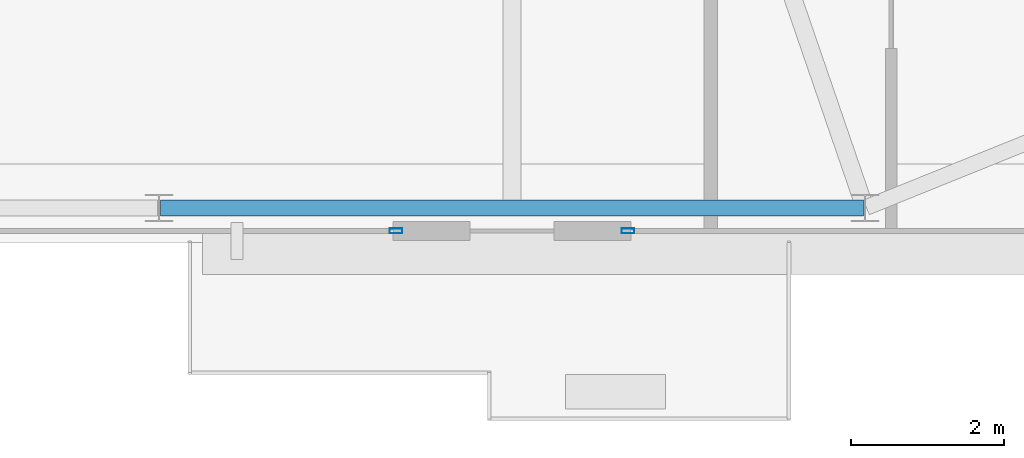
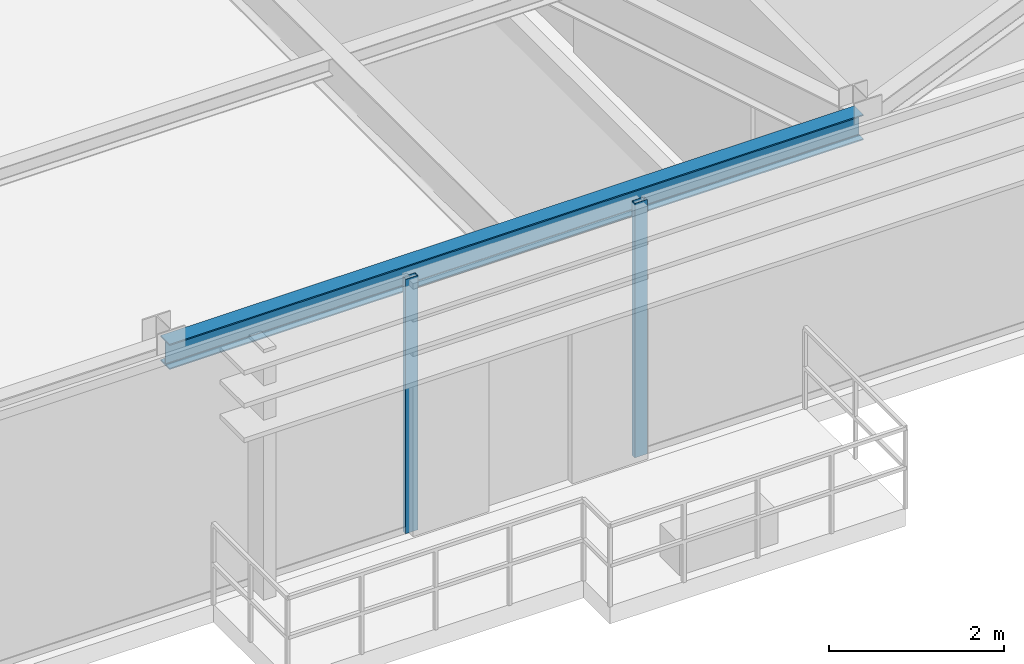
# One storey, part 12 of 30: 2 members, 1 beam, 2 elements without a shape of their own.
"""IFC4 building model written with IfcOpenShell, lengths in metres."""

from ifc_helpers import new_model, si_unit, direction, frame, origin, origin_2d, place, context, subcontext, project, spatial, hollow_rectangle, i_section, extrude, source, transform, mapped, material, layer, layer_set, material_profile, profile_set, type_object, type_shapes, element, aggregate, save


model = new_model("IFC4")

# Units and contexts
model_context = context("Model", 3, precision=1e-05, world=origin(), true_north=direction((0.0, 1.0)))
body_context = subcontext(model_context, "Body", "Model", "MODEL_VIEW")
ifc_project = project(units=[si_unit("LENGTHUNIT", "METRE"), si_unit("AREAUNIT", "SQUARE_METRE"), si_unit("VOLUMEUNIT", "CUBIC_METRE"), si_unit("PLANEANGLEUNIT", "RADIAN"), si_unit("MASSUNIT", "GRAM", prefix="KILO")], contexts=[model_context])

# Site, building, storey
site_placement = place(None, origin())
site = spatial("IfcSite", under=ifc_project, at=site_placement, CompositionType="ELEMENT")
building_placement = place(site_placement, origin())
building = spatial("IfcBuilding", under=site, at=building_placement, Name="Varnel Quay Broadcast Tower", CompositionType="ELEMENT")
storey_placement = place(building_placement, frame((0.0, 0.0, 207.39990234375)))
storey = spatial("IfcBuildingStorey", under=building, at=storey_placement, Name="L51", CompositionType="ELEMENT", Elevation=207.39990234375)

# Beam
ifc_material_1 = material(Name="Structural Steel CSA G40.21 350W", Category="steel")
ifc_material_profile_1 = material_profile(ifc_material_1, i_section(OverallWidth=0.205078125, OverallDepth=0.35400390625, WebThickness=0.009521484375, FlangeThickness=0.016845703125, FilletRadius=0.012939453125, at=origin_2d()), Name="W360X79")
ifc_profile_set_1 = profile_set([ifc_material_profile_1], Name="Structural Steel CSA G40.21 350W")
beam_type = type_object("IfcBeamType", Name="Beam_W360X79", PredefinedType="SPANDREL", material=ifc_profile_set_1)
shared_shape_1 = source(origin(), body_context, "Body", "SweptSolid", [
    extrude(i_section(OverallWidth=0.205078125, OverallDepth=0.35400390625, WebThickness=0.009521484375, FlangeThickness=0.016845703125, FilletRadius=0.012939453125, at=origin_2d()), origin(), (0.0, 0.0, 1.0), 9.159912109375),
])
type_shapes(beam_type, [shared_shape_1])
beam_placement = place(storey_placement, frame((38.6201171875, 10.64990234375, 3.373046875), z_axis=(1.0, 0.0, 0.0), x_axis=(0.0, 1.0, 0.0)))
element("IfcBeam", 1, at=beam_placement, inside=storey, type_object=beam_type, Name="L51 South Spandrel TC-S3-TC-S4", PredefinedType="SPANDREL", context=body_context, shape_type="MappedRepresentation", body=[
    mapped(shared_shape_1, transform((0.0, 0.0, 0.0), x_axis=(1.0, 0.0, 0.0), y_axis=(0.0, 1.0, 0.0), z_axis=(0.0, 0.0, 1.0), scale=1.0)),
])

# Curtain wall, member
ifc_material_2 = material(Name="Anodised Bronze Aluminium 6063-T6", Category="aluminium")
ifc_layer = layer(ifc_material_2, 0.18994140625, Name="Anodised Bronze Aluminium 6063-T6")
ifc_layer_set = layer_set([ifc_layer], Name="Anodised Bronze Aluminium 6063-T6")
curtain_wall_type = type_object("IfcCurtainWallType", Name="CW_UpperTower", PredefinedType="NOTDEFINED", material=ifc_layer_set)
curtain_wall_1_placement = place(storey_placement, origin())
curtain_wall_1 = element("IfcCurtainWall", 2, at=curtain_wall_1_placement, inside=storey, type_object=curtain_wall_type, Name="L51 South Unitised Curtain Wall 2", PredefinedType="NOTDEFINED")
ifc_material_profile_2 = material_profile(ifc_material_2, hollow_rectangle(XDim=0.06494140625, YDim=0.1650390625, WallThickness=0.00341796875, at=origin_2d()), Name="ALU65X165X3.5")
ifc_profile_set_2 = profile_set([ifc_material_profile_2], Name="Anodised Bronze Aluminium 6063-T6")
member_type = type_object("IfcMemberType", Name="Mull_CWS-03", PredefinedType="MULLION", material=ifc_profile_set_2)
shared_shape_2 = source(origin(), body_context, "Body", "SweptSolid", [
    extrude(hollow_rectangle(XDim=0.06494140625, YDim=0.1650390625, WallThickness=0.00341796875, at=origin_2d()), origin(), (0.0, 0.0, 1.0), 3.550048828125),
])
type_shapes(member_type, [shared_shape_2])
member_1_placement = place(storey_placement, frame((41.6875, 10.35009765625, 0.0), z_axis=(0.0, 0.0, 1.0), x_axis=(0.0, 1.0, 0.0)))
member_1 = element("IfcMember", 3, at=member_1_placement, type_object=member_type, Name="CWS-03 mullion 2", PredefinedType="MULLION", context=body_context, shape_type="MappedRepresentation", body=[
    mapped(shared_shape_2, transform((0.0, 0.0, 0.0), x_axis=(1.0, 0.0, 0.0), y_axis=(0.0, 1.0, 0.0), z_axis=(0.0, 0.0, 1.0), scale=1.0)),
])
aggregate(curtain_wall_1, [member_1])

curtain_wall_2_placement = place(storey_placement, origin())
curtain_wall_2 = element("IfcCurtainWall", 4, at=curtain_wall_2_placement, inside=storey, type_object=curtain_wall_type, Name="L51 South Unitised Curtain Wall 3", PredefinedType="NOTDEFINED")
member_2_placement = place(storey_placement, frame((44.71240234375, 10.35009765625, 0.0), z_axis=(0.0, 0.0, 1.0), x_axis=(0.0, 1.0, 0.0)))
member_2 = element("IfcMember", 5, at=member_2_placement, type_object=member_type, Name="CWS-03 mullion 1", PredefinedType="MULLION", context=body_context, shape_type="MappedRepresentation", body=[
    mapped(shared_shape_2, transform((0.0, 0.0, 0.0), x_axis=(1.0, 0.0, 0.0), y_axis=(0.0, 1.0, 0.0), z_axis=(0.0, 0.0, 1.0), scale=1.0)),
])
aggregate(curtain_wall_2, [member_2])

save(model, "model.ifc")
